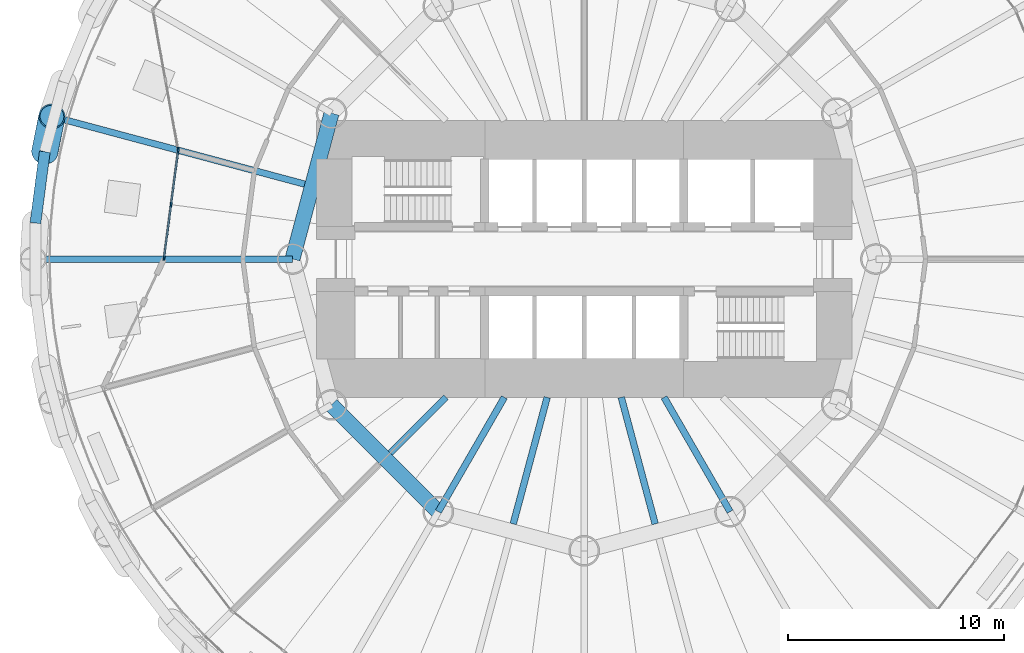
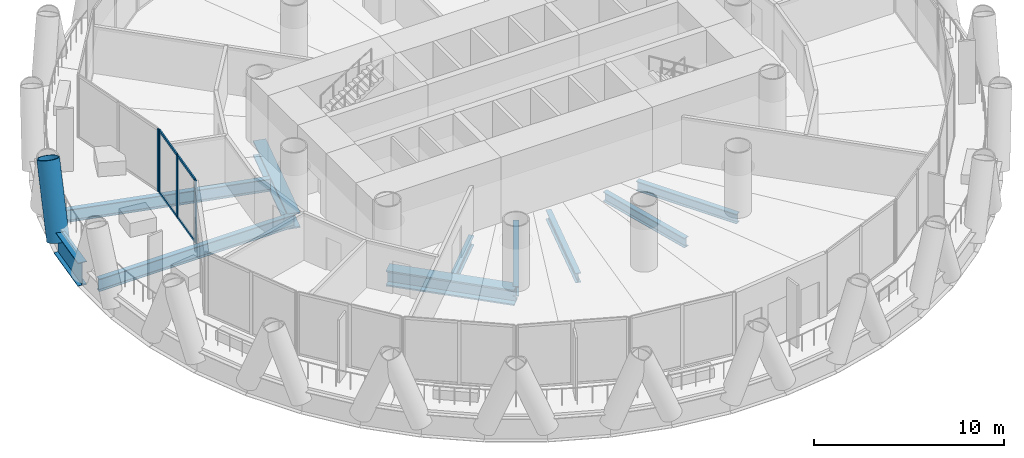
# One storey, part 3 of 15: 10 beams, 9 members, 2 elements without a shape of their own.
"""IFC4 building model written with IfcOpenShell, lengths in metres."""

from ifc_helpers import new_model, si_unit, direction, frame, origin, origin_2d, place, context, subcontext, project, spatial, rectangle, hollow_circle, i_section, extrude, material, material_profile, profile_set, type_object, element, aggregate, save


model = new_model("IFC4")

# Units and contexts
model_context = context("Model", 3, precision=1e-05, world=origin(), true_north=direction((0.0, 1.0)))
body_context = subcontext(model_context, "Body", "Model", "MODEL_VIEW")
ifc_project = project(units=[si_unit("LENGTHUNIT", "METRE"), si_unit("AREAUNIT", "SQUARE_METRE"), si_unit("VOLUMEUNIT", "CUBIC_METRE"), si_unit("PLANEANGLEUNIT", "RADIAN"), si_unit("MASSUNIT", "GRAM", prefix="KILO")], contexts=[model_context])

# Site, building, storey
site_placement = place(None, origin())
site = spatial("IfcSite", under=ifc_project, at=site_placement, CompositionType="ELEMENT")
building_placement = place(site_placement, origin())
building = spatial("IfcBuilding", under=site, at=building_placement, Name="Qaws Media Tower", CompositionType="ELEMENT")
storey_placement = place(building_placement, frame((0.0, 0.0, 72.199951171875)))
storey = spatial("IfcBuildingStorey", under=building, at=storey_placement, Name="L15", CompositionType="ELEMENT", Elevation=72.199951171875)

# Curtain wall, member
ifc_material_1 = material(Name="Aluminium and clear glass", Category="aluminium")
curtain_wall_type = type_object("IfcCurtainWallType", Name="Loggia curtain wall CW-G", PredefinedType="NOTDEFINED", material=ifc_material_1)
curtain_wall_1_placement = place(storey_placement, origin())
curtain_wall_1 = element("IfcCurtainWall", 1, at=curtain_wall_1_placement, inside=storey, type_object=curtain_wall_type, Name="CWG curtain wall L15-11", PredefinedType="NOTDEFINED")
ifc_material_2 = material(Name="Aluminium mullion", Category="aluminium")
ifc_material_profile_1 = material_profile(ifc_material_2, rectangle(XDim=0.080078125, YDim=0.199951171875, at=origin_2d()), Name="80x200")
ifc_profile_set_1 = profile_set([ifc_material_profile_1], Name="Aluminium mullion")
member_type_1 = type_object("IfcMemberType", Name="Curtain wall mullion 80x200", PredefinedType="MULLION", material=ifc_profile_set_1)
member_1_placement = place(storey_placement, frame((41.20556640625, 55.073486328125, 0.0), z_axis=(0.0, 0.0, 1.0), x_axis=(0.984017583835, 0.178071319151, 0.0)))
member_1 = element("IfcMember", 2, at=member_1_placement, type_object=member_type_1, Name="CWG mullion 3", PredefinedType="MULLION", context=body_context, shape_type="SweptSolid", body=[
    extrude(rectangle(XDim=0.080078125, YDim=0.199951171875, at=origin_2d()), origin(), (0.0, 0.0, 1.0), 4.0400390625),
])
aggregate(curtain_wall_1, [member_1])

# Curtain wall, members
curtain_wall_2_placement = place(storey_placement, origin())
curtain_wall_2 = element("IfcCurtainWall", 3, at=curtain_wall_2_placement, inside=storey, type_object=curtain_wall_type, Name="CWG curtain wall L15-12", PredefinedType="NOTDEFINED")
member_2_placement = place(storey_placement, frame((41.20751953125, 54.994384765625, 0.0), z_axis=(0.0, 0.0, 1.0), x_axis=(0.991444851751, -0.130526265312, 0.0)))
member_2 = element("IfcMember", 4, at=member_2_placement, type_object=member_type_1, Name="CWG mullion 1", PredefinedType="MULLION", context=body_context, shape_type="SweptSolid", body=[
    extrude(rectangle(XDim=0.080078125, YDim=0.199951171875, at=origin_2d()), origin(), (0.0, 0.0, 1.0), 4.0400390625),
])
member_3_placement = place(storey_placement, frame((40.88134765625, 52.51708984375, 0.0), z_axis=(0.0, 0.0, 1.0), x_axis=(0.991444851751, -0.130526265312, 0.0)))
member_3 = element("IfcMember", 5, at=member_3_placement, type_object=member_type_1, Name="CWG mullion 2", PredefinedType="MULLION", context=body_context, shape_type="SweptSolid", body=[
    extrude(rectangle(XDim=0.080078125, YDim=0.199951171875, at=origin_2d()), origin(), (0.0, 0.0, 1.0), 4.0400390625),
])
member_4_placement = place(storey_placement, frame((40.55517578125, 50.03955078125, 0.0), z_axis=(0.0, 0.0, 1.0), x_axis=(0.991444851751, -0.130526265312, 0.0)))
member_4 = element("IfcMember", 6, at=member_4_placement, type_object=member_type_1, Name="CWG mullion 3", PredefinedType="MULLION", context=body_context, shape_type="SweptSolid", body=[
    extrude(rectangle(XDim=0.080078125, YDim=0.199951171875, at=origin_2d()), origin(), (0.0, 0.0, 1.0), 4.0400390625),
])
ifc_material_3 = material(Name="Aluminium transom", Category="aluminium")
ifc_material_profile_2 = material_profile(ifc_material_3, rectangle(XDim=0.080078125, YDim=0.159912109375, at=origin_2d()), Name="80x160")
ifc_profile_set_2 = profile_set([ifc_material_profile_2], Name="Aluminium transom")
member_type_2 = type_object("IfcMemberType", Name="Curtain wall transom 80x160", PredefinedType="USERDEFINED", material=ifc_profile_set_2)
member_5_placement = place(storey_placement, frame((41.202392578125, 54.954833984375, 0.0400390625), z_axis=(-0.130603329501, -0.991434703005, 0.0), x_axis=(0.991434703005, -0.130603329501, 0.0)))
member_5 = element("IfcMember", 7, at=member_5_placement, type_object=member_type_2, Name="CWG transom 1.1", ObjectType="TRANSOM", PredefinedType="USERDEFINED", context=body_context, shape_type="SweptSolid", body=[
    extrude(rectangle(XDim=0.080078125, YDim=0.159912109375, at=origin_2d()), origin(), (0.0, 0.0, 1.0), 2.4189453125),
])
member_6_placement = place(storey_placement, frame((41.202392578125, 54.954833984375, 4.0), z_axis=(-0.130603329501, -0.991434703005, 0.0), x_axis=(0.991434703005, -0.130603329501, 0.0)))
member_6 = element("IfcMember", 8, at=member_6_placement, type_object=member_type_2, Name="CWG transom 1.2", ObjectType="TRANSOM", PredefinedType="USERDEFINED", context=body_context, shape_type="SweptSolid", body=[
    extrude(rectangle(XDim=0.080078125, YDim=0.159912109375, at=origin_2d()), origin(), (0.0, 0.0, 1.0), 2.4189453125),
])
member_7_placement = place(storey_placement, frame((40.876220703125, 52.477294921875, 0.0400390625), z_axis=(-0.130517179786, -0.991446047842, 0.0), x_axis=(0.991446047842, -0.130517179786, 0.0)))
member_7 = element("IfcMember", 9, at=member_7_placement, type_object=member_type_2, Name="CWG transom 2.1", ObjectType="TRANSOM", PredefinedType="USERDEFINED", context=body_context, shape_type="SweptSolid", body=[
    extrude(rectangle(XDim=0.080078125, YDim=0.159912109375, at=origin_2d()), origin(), (0.0, 0.0, 1.0), 2.418701171875),
])
member_8_placement = place(storey_placement, frame((40.876220703125, 52.477294921875, 4.0), z_axis=(-0.130517179786, -0.991446047842, 0.0), x_axis=(0.991446047842, -0.130517179786, 0.0)))
member_8 = element("IfcMember", 10, at=member_8_placement, type_object=member_type_2, Name="CWG transom 2.2", ObjectType="TRANSOM", PredefinedType="USERDEFINED", context=body_context, shape_type="SweptSolid", body=[
    extrude(rectangle(XDim=0.080078125, YDim=0.159912109375, at=origin_2d()), origin(), (0.0, 0.0, 1.0), 2.418701171875),
])
aggregate(curtain_wall_2, [member_2, member_3, member_4, member_5, member_6, member_7, member_8])

# Member
ifc_material_4 = material(Name="Steel S460", Category="steel")
ifc_material_profile_3 = material_profile(ifc_material_4, hollow_circle(Radius=0.609619140625, WallThickness=0.06005859375, at=origin_2d()), Name="CHS 1219x60")
ifc_profile_set_3 = profile_set([ifc_material_profile_3], Name="Steel S460")
member_type_3 = type_object("IfcMemberType", Name="Diagrid member CHS 1219x60", PredefinedType="USERDEFINED", material=ifc_profile_set_3)
member_9_placement = place(storey_placement, frame((35.0390625, 54.965087890625, -0.909912109375), z_axis=(0.072989201231, 0.36175846887, 0.929410235958), x_axis=(-0.980247069572, 0.197776850506, 0.0)))
element("IfcMember", 11, at=member_9_placement, inside=storey, type_object=member_type_3, Name="DG1 diagrid L15 B12", ObjectType="DIAGRID", PredefinedType="USERDEFINED", context=body_context, shape_type="SweptSolid", body=[
    extrude(hollow_circle(Radius=0.609619140625, WallThickness=0.06005859375, at=origin_2d()), origin(), (0.0, 0.0, 1.0), 4.51904296875),
])

# Beams
ifc_material_5 = material(Name="Steel S460", Category="steel")
ifc_material_profile_4 = material_profile(ifc_material_5, i_section(OverallWidth=0.5, OverallDepth=1.5, WebThickness=0.02001953125, FlangeThickness=0.0400390625, at=origin_2d()), Name="PG 1500x500")
ifc_profile_set_4 = profile_set([ifc_material_profile_4], Name="Steel S460")
beam_type_1 = type_object("IfcBeamType", Name="Edge ring beam PG 1500x500", PredefinedType="BEAM", material=ifc_profile_set_4)
beam_1_placement = place(storey_placement, frame((35.0390625, 54.965087890625, -0.909912109375), z_axis=(-0.130539880563, -0.991443059173, 0.0), x_axis=(0.991443059173, -0.130539880563, 0.0)))
element("IfcBeam", 12, at=beam_1_placement, inside=storey, type_object=beam_type_1, Name="RB4 edge ring beam L15-23", PredefinedType="BEAM", context=body_context, shape_type="SweptSolid", body=[
    extrude(i_section(OverallWidth=0.5, OverallDepth=1.5, WebThickness=0.02001953125, FlangeThickness=0.0400390625, at=origin_2d()), origin(), (0.0, 0.0, 1.0), 3.3291015625),
])
ifc_material_6 = material(Name="Steel S460", Category="steel")
ifc_material_profile_5 = material_profile(ifc_material_6, i_section(OverallWidth=0.699951171875, OverallDepth=1.0, WebThickness=0.034912109375, FlangeThickness=0.090087890625, at=origin_2d()), Name="PG 1000x700")
ifc_profile_set_5 = profile_set([ifc_material_profile_5], Name="Steel S460")
beam_type_2 = type_object("IfcBeamType", Name="Inner ring girder PG 1000x700", PredefinedType="BEAM", material=ifc_profile_set_5)
beam_2_placement = place(storey_placement, frame((48.30859375, 56.75, -0.659912109375), z_axis=(-0.258810593767, -0.965928090778, 0.0), x_axis=(0.965928090778, -0.258810593767, 0.0)))
element("IfcBeam", 13, at=beam_2_placement, inside=storey, type_object=beam_type_2, Name="B3 inner ring beam L15 I06-I07", PredefinedType="BEAM", context=body_context, shape_type="SweptSolid", body=[
    extrude(i_section(OverallWidth=0.699951171875, OverallDepth=1.0, WebThickness=0.034912109375, FlangeThickness=0.090087890625, at=origin_2d()), origin(), (0.0, 0.0, 1.0), 6.988037109375),
])
beam_3_placement = place(storey_placement, frame((48.30859375, 43.25, -0.659912109375), z_axis=(0.707106781187, -0.707106781187, 0.0), x_axis=(0.707106781187, 0.707106781187, 0.0)))
element("IfcBeam", 14, at=beam_3_placement, inside=storey, type_object=beam_type_2, Name="B3 inner ring beam L15 I08-I09", PredefinedType="BEAM", context=body_context, shape_type="SweptSolid", body=[
    extrude(i_section(OverallWidth=0.699951171875, OverallDepth=1.0, WebThickness=0.034912109375, FlangeThickness=0.090087890625, at=origin_2d()), origin(), (0.0, 0.0, 1.0), 6.98828125),
])
ifc_material_7 = material(Name="Steel S355", Category="steel")
ifc_material_profile_6 = material_profile(ifc_material_7, i_section(OverallWidth=0.304931640625, OverallDepth=0.6201171875, WebThickness=0.02099609375, FlangeThickness=0.0400390625, FilletRadius=0.027099609375, at=origin_2d()), Name="HE 600 M")
ifc_profile_set_6 = profile_set([ifc_material_profile_6], Name="Steel S355")
beam_type_3 = type_object("IfcBeamType", Name="Radial beam HE 600 M, core side", PredefinedType="BEAM", material=ifc_profile_set_6)
beam_4_placement = place(storey_placement, frame((53.60009765625, 43.60009765625, -0.469970703125), z_axis=(-0.707106781187, -0.707106781187, 0.0), x_axis=(0.707106781187, -0.707106781187, 0.0)))
element("IfcBeam", 15, at=beam_4_placement, inside=storey, type_object=beam_type_3, Name="B2 radial beam L15 16", PredefinedType="BEAM", context=body_context, shape_type="SweptSolid", body=[
    extrude(i_section(OverallWidth=0.304931640625, OverallDepth=0.6201171875, WebThickness=0.02099609375, FlangeThickness=0.0400390625, FilletRadius=0.027099609375, at=origin_2d()), origin(), (0.0, 0.0, 1.0), 3.63916015625),
])
beam_5_placement = place(storey_placement, frame((56.304931640625, 43.60009765625, -0.469970703125), z_axis=(-0.49998532359, -0.866033877048, 0.0), x_axis=(0.866033877048, -0.49998532359, 0.0)))
element("IfcBeam", 16, at=beam_5_placement, inside=storey, type_object=beam_type_3, Name="B2 radial beam L15 17", PredefinedType="BEAM", context=body_context, shape_type="SweptSolid", body=[
    extrude(i_section(OverallWidth=0.304931640625, OverallDepth=0.6201171875, WebThickness=0.02099609375, FlangeThickness=0.0400390625, FilletRadius=0.027099609375, at=origin_2d()), origin(), (0.0, 0.0, 1.0), 6.110107421875),
])
for number, where, z_axis, x_axis, name in (
    (17, (58.28515625, 43.60009765625, -0.469970703125), (-0.258822614448, -0.965924869879, 0.0), (0.965924869879, -0.258822614448, 0.0), "B2 radial beam L15 18"),
    (18, (61.71484375, 43.60009765625, -0.469970703125), (0.258822614448, -0.965924869879, 0.0), (0.965924869879, 0.258822614448, 0.0), "B2 radial beam L15 20"),
):
    element("IfcBeam", number, at=place(storey_placement, frame(where, z_axis=z_axis, x_axis=x_axis)), inside=storey, type_object=beam_type_3, Name=name, PredefinedType="BEAM", context=body_context, shape_type="SweptSolid", body=[
        extrude(i_section(OverallWidth=0.304931640625, OverallDepth=0.6201171875, WebThickness=0.02099609375, FlangeThickness=0.0400390625, FilletRadius=0.027099609375, at=origin_2d()), origin(), (0.0, 0.0, 1.0), 6.064208984375),
    ])
beam_6_placement = place(storey_placement, frame((63.695068359375, 43.60009765625, -0.469970703125), z_axis=(0.49998532359, -0.866033877048, 0.0), x_axis=(0.866033877048, 0.49998532359, 0.0)))
element("IfcBeam", 19, at=beam_6_placement, inside=storey, type_object=beam_type_3, Name="B2 radial beam L15 21", PredefinedType="BEAM", context=body_context, shape_type="SweptSolid", body=[
    extrude(i_section(OverallWidth=0.304931640625, OverallDepth=0.6201171875, WebThickness=0.02099609375, FlangeThickness=0.0400390625, FilletRadius=0.027099609375, at=origin_2d()), origin(), (0.0, 0.0, 1.0), 6.110107421875),
])
ifc_material_8 = material(Name="Steel S355", Category="steel")
ifc_material_profile_7 = material_profile(ifc_material_8, i_section(OverallWidth=0.300048828125, OverallDepth=0.800048828125, WebThickness=0.017578125, FlangeThickness=0.032958984375, FilletRadius=0.030029296875, at=origin_2d()), Name="HE 800 B")
ifc_profile_set_7 = profile_set([ifc_material_profile_7], Name="Steel S355")
beam_type_4 = type_object("IfcBeamType", Name="Radial beam HE 800 B", PredefinedType="BEAM", material=ifc_profile_set_7)
beam_7_placement = place(storey_placement, frame((47.066162109375, 53.465576171875, -0.56005859375), z_axis=(-0.965927446476, 0.258812998406, 0.0), x_axis=(-0.258812998406, -0.965927446476, 0.0)))
element("IfcBeam", 20, at=beam_7_placement, inside=storey, type_object=beam_type_4, Name="B1 radial beam L15 12", PredefinedType="BEAM", context=body_context, shape_type="SweptSolid", body=[
    extrude(i_section(OverallWidth=0.300048828125, OverallDepth=0.800048828125, WebThickness=0.017578125, FlangeThickness=0.032958984375, FilletRadius=0.030029296875, at=origin_2d()), origin(), (0.0, 0.0, 1.0), 12.005615234375),
])
beam_8_placement = place(storey_placement, frame((46.5, 50.0, -0.56005859375), z_axis=(-1.0, 0.0, 0.0), x_axis=(0.0, -1.0, 0.0)))
element("IfcBeam", 21, at=beam_8_placement, inside=storey, type_object=beam_type_4, Name="B1 radial beam L15 13", PredefinedType="BEAM", context=body_context, shape_type="SweptSolid", body=[
    extrude(i_section(OverallWidth=0.300048828125, OverallDepth=0.800048828125, WebThickness=0.017578125, FlangeThickness=0.032958984375, FilletRadius=0.030029296875, at=origin_2d()), origin(), (0.0, 0.0, 1.0), 11.8955078125),
])

save(model, "model.ifc")
